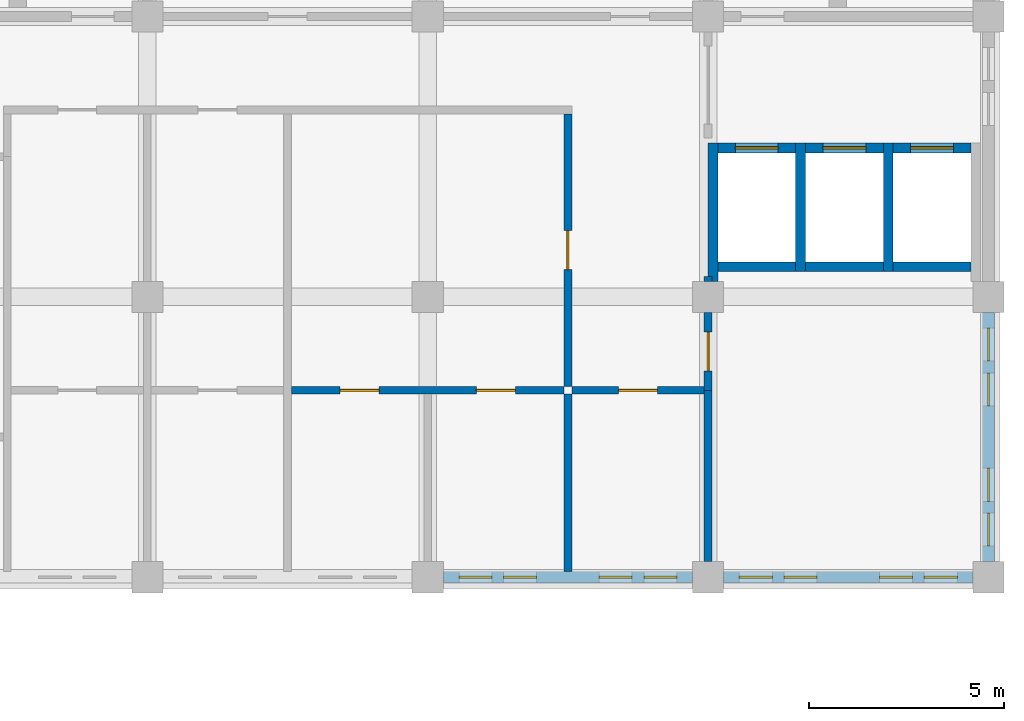
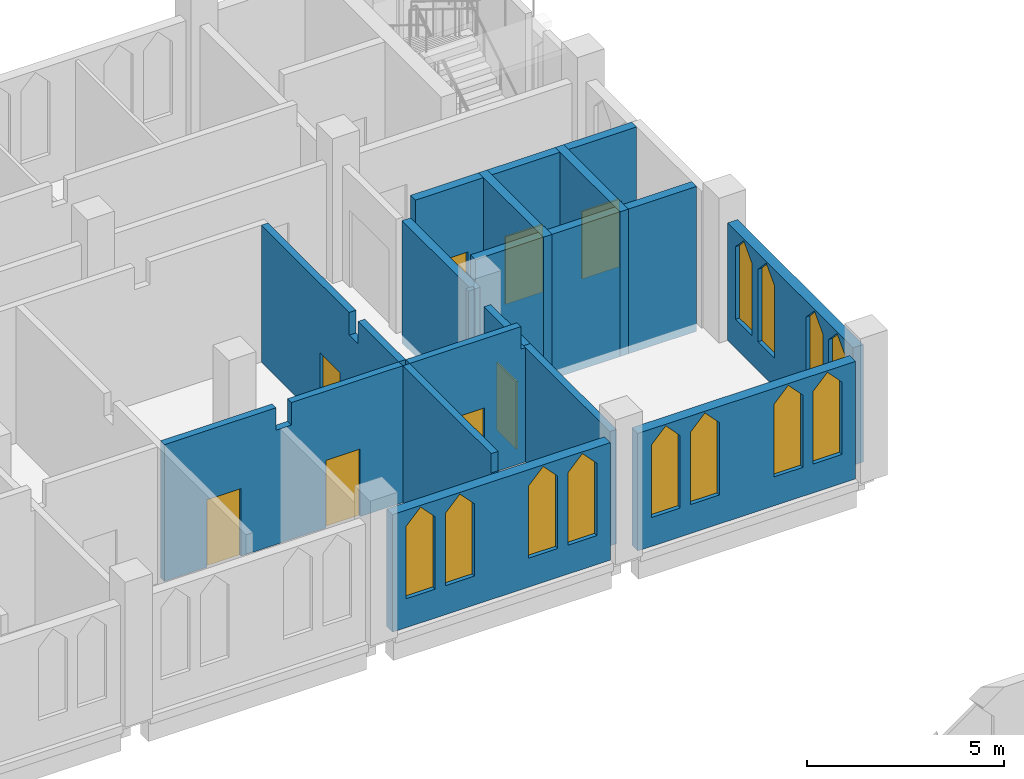
# One storey, part 6 of 11: 19 walls, 12 windows, 8 doors, 20 openings.
"""IFC4 building model written with IfcOpenShell, lengths in metres."""

from ifc_helpers import new_model, si_unit, direction, frame, frame_2d, origin, place, context, subcontext, project, spatial, polyline, rectangle, outline, extrude, material, layer, layer_set, type_object, element, fill, save


model = new_model("IFC4")

# Units and contexts
model_context = context("Model", 3, precision=1e-05, world=origin(), true_north=direction((0.0, 1.0)))
body_context = subcontext(model_context, "Body", "Model", "MODEL_VIEW")
ifc_project = project(units=[si_unit("LENGTHUNIT", "METRE"), si_unit("AREAUNIT", "SQUARE_METRE"), si_unit("VOLUMEUNIT", "CUBIC_METRE"), si_unit("PLANEANGLEUNIT", "RADIAN"), si_unit("MASSUNIT", "GRAM", prefix="KILO")], contexts=[model_context])

# Site, building, storey
site_placement = place(None, origin())
site = spatial("IfcSite", under=ifc_project, at=site_placement, CompositionType="ELEMENT")
building_placement = place(site_placement, origin())
building = spatial("IfcBuilding", under=site, at=building_placement, Name="Silangan Lancet Faculty of Sciences", CompositionType="ELEMENT")
storey_placement = place(building_placement, frame((0.0, 0.0, 45.300048828125)))
storey = spatial("IfcBuildingStorey", under=building, at=storey_placement, Name="L09", CompositionType="ELEMENT", Elevation=45.300048828125)

# Wall, openings, windows
ifc_material_1 = material(Name="Concrete C40/50 precast", Category="concrete")
ifc_layer_1 = layer(ifc_material_1, 0.300048828125)
ifc_layer_set_1 = layer_set([ifc_layer_1], Name="Concrete C40/50 precast")
wall_type_1 = type_object("IfcWallType", Name="EW1 Precast cladding wall", PredefinedType="STANDARD", material=ifc_layer_set_1)
wall_1_placement = place(storey_placement, frame((28.800048828125, 36.39990234375, 0.0), z_axis=(0.0, 0.0, 1.0), x_axis=(0.0, 1.0, 0.0)))
wall_1 = element("IfcWall", 1, at=wall_1_placement, inside=storey, type_object=wall_type_1, Name="EW-L09-E-NT-00", PredefinedType="STANDARD", context=body_context, shape_type="SweptSolid", body=[
    extrude(rectangle(XDim=6.400146484375, YDim=0.300048828125, at=frame_2d((3.2001953125, 0.0))), origin(), (0.0, 0.0, 1.0), 3.64990234375),
])
opening_1_placement = place(wall_1_placement, frame((0.39990234375, 0.0, 0.89990234375)))
opening_1 = element("IfcOpeningElement", 2, at=opening_1_placement, cuts=wall_1, Name="Opening W21", PredefinedType="OPENING", context=body_context, shape_type="SweptSolid", body=[
    extrude(outline(polyline([(0.0, 0.0), (0.85009765625, 0.0), (0.85009765625, 2.25), (0.425048828125, 2.699951171875), (0.0, 2.25), (0.0, 0.0)])), frame((0.0, 0.159912109375, 0.0), z_axis=(0.0, -1.0, 0.0), x_axis=(1.0, 0.0, 0.0)), (0.0, 0.0, 1.0), 0.320068359375),
])
opening_2_placement = place(wall_1_placement, frame((1.550048828125, 0.0, 0.89990234375)))
opening_2 = element("IfcOpeningElement", 3, at=opening_2_placement, cuts=wall_1, Name="Opening W21", PredefinedType="OPENING", context=body_context, shape_type="SweptSolid", body=[
    extrude(outline(polyline([(0.0, 0.0), (0.85009765625, 0.0), (0.85009765625, 2.25), (0.425048828125, 2.699951171875), (0.0, 2.25), (0.0, 0.0)])), frame((0.0, 0.159912109375, 0.0), z_axis=(0.0, -1.0, 0.0), x_axis=(1.0, 0.0, 0.0)), (0.0, 0.0, 1.0), 0.320068359375),
])
opening_3_placement = place(wall_1_placement, frame((4.0, 0.0, 0.89990234375)))
opening_3 = element("IfcOpeningElement", 4, at=opening_3_placement, cuts=wall_1, Name="Opening W21", PredefinedType="OPENING", context=body_context, shape_type="SweptSolid", body=[
    extrude(outline(polyline([(0.0, 0.0), (0.85009765625, 0.0), (0.85009765625, 2.25), (0.425048828125, 2.699951171875), (0.0, 2.25), (0.0, 0.0)])), frame((0.0, 0.159912109375, 0.0), z_axis=(0.0, -1.0, 0.0), x_axis=(1.0, 0.0, 0.0)), (0.0, 0.0, 1.0), 0.320068359375),
])
opening_4_placement = place(wall_1_placement, frame((5.14990234375, 0.0, 0.89990234375)))
opening_4 = element("IfcOpeningElement", 5, at=opening_4_placement, cuts=wall_1, Name="Opening W21", PredefinedType="OPENING", context=body_context, shape_type="SweptSolid", body=[
    extrude(outline(polyline([(0.0, 0.0), (0.85009765625, 0.0), (0.85009765625, 2.25), (0.425048828125, 2.699951171875), (0.0, 2.25), (0.0, 0.0)])), frame((0.0, 0.159912109375, 0.0), z_axis=(0.0, -1.0, 0.0), x_axis=(1.0, 0.0, 0.0)), (0.0, 0.0, 1.0), 0.320068359375),
])
ifc_material_2 = material(Name="Aluminium frame, laminated double glazing", Category="aluminium")
window_type = type_object("IfcWindowType", Name="W21 Lancet window 850 x 2700", PartitioningType="SINGLE_PANEL", PredefinedType="WINDOW", material=ifc_material_2)
window_1_placement = place(opening_1_placement, origin())
window_1 = element("IfcWindow", 6, at=window_1_placement, inside=storey, type_object=window_type, Name="WIN-L09-E-NT-00a1", OverallHeight=2.699951171875, OverallWidth=0.85009765625, PartitioningType="SINGLE_PANEL", PredefinedType="WINDOW", context=body_context, shape_type="SweptSolid", body=[
    extrude(outline(polyline([(0.0, 0.0), (0.85009765625, 0.0), (0.85009765625, 2.25), (0.425048828125, 2.699951171875), (0.0, 2.25), (0.0, 0.0)])), frame((0.0, 0.030029296875, 0.0), z_axis=(0.0, -1.0, 0.0), x_axis=(1.0, 0.0, 0.0)), (0.0, 0.0, 1.0), 0.06005859375),
])
fill(opening_1, window_1)
window_2_placement = place(opening_2_placement, origin())
window_2 = element("IfcWindow", 7, at=window_2_placement, inside=storey, type_object=window_type, Name="WIN-L09-E-NT-00a2", OverallHeight=2.699951171875, OverallWidth=0.85009765625, PartitioningType="SINGLE_PANEL", PredefinedType="WINDOW", context=body_context, shape_type="SweptSolid", body=[
    extrude(outline(polyline([(0.0, 0.0), (0.85009765625, 0.0), (0.85009765625, 2.25), (0.425048828125, 2.699951171875), (0.0, 2.25), (0.0, 0.0)])), frame((0.0, 0.030029296875, 0.0), z_axis=(0.0, -1.0, 0.0), x_axis=(1.0, 0.0, 0.0)), (0.0, 0.0, 1.0), 0.06005859375),
])
fill(opening_2, window_2)
window_3_placement = place(opening_3_placement, origin())
window_3 = element("IfcWindow", 8, at=window_3_placement, inside=storey, type_object=window_type, Name="WIN-L09-E-NT-00b1", OverallHeight=2.699951171875, OverallWidth=0.85009765625, PartitioningType="SINGLE_PANEL", PredefinedType="WINDOW", context=body_context, shape_type="SweptSolid", body=[
    extrude(outline(polyline([(0.0, 0.0), (0.85009765625, 0.0), (0.85009765625, 2.25), (0.425048828125, 2.699951171875), (0.0, 2.25), (0.0, 0.0)])), frame((0.0, 0.030029296875, 0.0), z_axis=(0.0, -1.0, 0.0), x_axis=(1.0, 0.0, 0.0)), (0.0, 0.0, 1.0), 0.06005859375),
])
fill(opening_3, window_3)
window_4_placement = place(opening_4_placement, origin())
window_4 = element("IfcWindow", 9, at=window_4_placement, inside=storey, type_object=window_type, Name="WIN-L09-E-NT-00b2", OverallHeight=2.699951171875, OverallWidth=0.85009765625, PartitioningType="SINGLE_PANEL", PredefinedType="WINDOW", context=body_context, shape_type="SweptSolid", body=[
    extrude(outline(polyline([(0.0, 0.0), (0.85009765625, 0.0), (0.85009765625, 2.25), (0.425048828125, 2.699951171875), (0.0, 2.25), (0.0, 0.0)])), frame((0.0, 0.030029296875, 0.0), z_axis=(0.0, -1.0, 0.0), x_axis=(1.0, 0.0, 0.0)), (0.0, 0.0, 1.0), 0.06005859375),
])
fill(opening_4, window_4)

wall_2_placement = place(storey_placement, frame((14.800048828125, 36.0, 0.0), z_axis=(0.0, 0.0, 1.0), x_axis=(1.0, 0.0, 0.0)))
wall_2 = element("IfcWall", 10, at=wall_2_placement, inside=storey, type_object=wall_type_1, Name="EW-L09-S-NT-02", PredefinedType="STANDARD", context=body_context, shape_type="SweptSolid", body=[
    extrude(rectangle(XDim=6.39990234375, YDim=0.300048828125, at=frame_2d((3.199951171875, 0.0))), origin(), (0.0, 0.0, 1.0), 3.64990234375),
])
opening_5_placement = place(wall_2_placement, frame((0.39990234375, 0.0, 0.89990234375)))
opening_5 = element("IfcOpeningElement", 11, at=opening_5_placement, cuts=wall_2, Name="Opening W21", PredefinedType="OPENING", context=body_context, shape_type="SweptSolid", body=[
    extrude(outline(polyline([(0.0, 0.0), (0.85009765625, 0.0), (0.85009765625, 2.25), (0.425048828125, 2.699951171875), (0.0, 2.25), (0.0, 0.0)])), frame((0.0, 0.159912109375, 0.0), z_axis=(0.0, -1.0, 0.0), x_axis=(1.0, 0.0, 0.0)), (0.0, 0.0, 1.0), 0.320068359375),
])
opening_6_placement = place(wall_2_placement, frame((1.550048828125, 0.0, 0.89990234375)))
opening_6 = element("IfcOpeningElement", 12, at=opening_6_placement, cuts=wall_2, Name="Opening W21", PredefinedType="OPENING", context=body_context, shape_type="SweptSolid", body=[
    extrude(outline(polyline([(0.0, 0.0), (0.85009765625, 0.0), (0.85009765625, 2.25), (0.425048828125, 2.699951171875), (0.0, 2.25), (0.0, 0.0)])), frame((0.0, 0.159912109375, 0.0), z_axis=(0.0, -1.0, 0.0), x_axis=(1.0, 0.0, 0.0)), (0.0, 0.0, 1.0), 0.320068359375),
])
opening_7_placement = place(wall_2_placement, frame((4.0, 0.0, 0.89990234375)))
opening_7 = element("IfcOpeningElement", 13, at=opening_7_placement, cuts=wall_2, Name="Opening W21", PredefinedType="OPENING", context=body_context, shape_type="SweptSolid", body=[
    extrude(outline(polyline([(0.0, 0.0), (0.85009765625, 0.0), (0.85009765625, 2.25), (0.425048828125, 2.699951171875), (0.0, 2.25), (0.0, 0.0)])), frame((0.0, 0.159912109375, 0.0), z_axis=(0.0, -1.0, 0.0), x_axis=(1.0, 0.0, 0.0)), (0.0, 0.0, 1.0), 0.320068359375),
])
opening_8_placement = place(wall_2_placement, frame((5.14990234375, 0.0, 0.89990234375)))
opening_8 = element("IfcOpeningElement", 14, at=opening_8_placement, cuts=wall_2, Name="Opening W21", PredefinedType="OPENING", context=body_context, shape_type="SweptSolid", body=[
    extrude(outline(polyline([(0.0, 0.0), (0.85009765625, 0.0), (0.85009765625, 2.25), (0.425048828125, 2.699951171875), (0.0, 2.25), (0.0, 0.0)])), frame((0.0, 0.159912109375, 0.0), z_axis=(0.0, -1.0, 0.0), x_axis=(1.0, 0.0, 0.0)), (0.0, 0.0, 1.0), 0.320068359375),
])
window_5_placement = place(opening_5_placement, origin())
window_5 = element("IfcWindow", 15, at=window_5_placement, inside=storey, type_object=window_type, Name="WIN-L09-S-NT-02a1", OverallHeight=2.699951171875, OverallWidth=0.85009765625, PartitioningType="SINGLE_PANEL", PredefinedType="WINDOW", context=body_context, shape_type="SweptSolid", body=[
    extrude(outline(polyline([(0.0, 0.0), (0.85009765625, 0.0), (0.85009765625, 2.25), (0.425048828125, 2.699951171875), (0.0, 2.25), (0.0, 0.0)])), frame((0.0, 0.030029296875, 0.0), z_axis=(0.0, -1.0, 0.0), x_axis=(1.0, 0.0, 0.0)), (0.0, 0.0, 1.0), 0.06005859375),
])
fill(opening_5, window_5)
window_6_placement = place(opening_6_placement, origin())
window_6 = element("IfcWindow", 16, at=window_6_placement, inside=storey, type_object=window_type, Name="WIN-L09-S-NT-02a2", OverallHeight=2.699951171875, OverallWidth=0.85009765625, PartitioningType="SINGLE_PANEL", PredefinedType="WINDOW", context=body_context, shape_type="SweptSolid", body=[
    extrude(outline(polyline([(0.0, 0.0), (0.85009765625, 0.0), (0.85009765625, 2.25), (0.425048828125, 2.699951171875), (0.0, 2.25), (0.0, 0.0)])), frame((0.0, 0.030029296875, 0.0), z_axis=(0.0, -1.0, 0.0), x_axis=(1.0, 0.0, 0.0)), (0.0, 0.0, 1.0), 0.06005859375),
])
fill(opening_6, window_6)
window_7_placement = place(opening_7_placement, origin())
window_7 = element("IfcWindow", 17, at=window_7_placement, inside=storey, type_object=window_type, Name="WIN-L09-S-NT-02b1", OverallHeight=2.699951171875, OverallWidth=0.85009765625, PartitioningType="SINGLE_PANEL", PredefinedType="WINDOW", context=body_context, shape_type="SweptSolid", body=[
    extrude(outline(polyline([(0.0, 0.0), (0.85009765625, 0.0), (0.85009765625, 2.25), (0.425048828125, 2.699951171875), (0.0, 2.25), (0.0, 0.0)])), frame((0.0, 0.030029296875, 0.0), z_axis=(0.0, -1.0, 0.0), x_axis=(1.0, 0.0, 0.0)), (0.0, 0.0, 1.0), 0.06005859375),
])
fill(opening_7, window_7)
window_8_placement = place(opening_8_placement, origin())
window_8 = element("IfcWindow", 18, at=window_8_placement, inside=storey, type_object=window_type, Name="WIN-L09-S-NT-02b2", OverallHeight=2.699951171875, OverallWidth=0.85009765625, PartitioningType="SINGLE_PANEL", PredefinedType="WINDOW", context=body_context, shape_type="SweptSolid", body=[
    extrude(outline(polyline([(0.0, 0.0), (0.85009765625, 0.0), (0.85009765625, 2.25), (0.425048828125, 2.699951171875), (0.0, 2.25), (0.0, 0.0)])), frame((0.0, 0.030029296875, 0.0), z_axis=(0.0, -1.0, 0.0), x_axis=(1.0, 0.0, 0.0)), (0.0, 0.0, 1.0), 0.06005859375),
])
fill(opening_8, window_8)

wall_3_placement = place(storey_placement, frame((22.0, 36.0, 0.0), z_axis=(0.0, 0.0, 1.0), x_axis=(1.0, 0.0, 0.0)))
wall_3 = element("IfcWall", 19, at=wall_3_placement, inside=storey, type_object=wall_type_1, Name="EW-L09-S-NT-03", PredefinedType="STANDARD", context=body_context, shape_type="SweptSolid", body=[
    extrude(rectangle(XDim=6.39990234375, YDim=0.300048828125, at=frame_2d((3.199951171875, 0.0))), origin(), (0.0, 0.0, 1.0), 3.64990234375),
])
opening_9_placement = place(wall_3_placement, frame((0.39990234375, 0.0, 0.89990234375)))
opening_9 = element("IfcOpeningElement", 20, at=opening_9_placement, cuts=wall_3, Name="Opening W21", PredefinedType="OPENING", context=body_context, shape_type="SweptSolid", body=[
    extrude(outline(polyline([(0.0, 0.0), (0.85009765625, 0.0), (0.85009765625, 2.25), (0.425048828125, 2.699951171875), (0.0, 2.25), (0.0, 0.0)])), frame((0.0, 0.159912109375, 0.0), z_axis=(0.0, -1.0, 0.0), x_axis=(1.0, 0.0, 0.0)), (0.0, 0.0, 1.0), 0.320068359375),
])
opening_10_placement = place(wall_3_placement, frame((1.550048828125, 0.0, 0.89990234375)))
opening_10 = element("IfcOpeningElement", 21, at=opening_10_placement, cuts=wall_3, Name="Opening W21", PredefinedType="OPENING", context=body_context, shape_type="SweptSolid", body=[
    extrude(outline(polyline([(0.0, 0.0), (0.85009765625, 0.0), (0.85009765625, 2.25), (0.425048828125, 2.699951171875), (0.0, 2.25), (0.0, 0.0)])), frame((0.0, 0.159912109375, 0.0), z_axis=(0.0, -1.0, 0.0), x_axis=(1.0, 0.0, 0.0)), (0.0, 0.0, 1.0), 0.320068359375),
])
opening_11_placement = place(wall_3_placement, frame((4.0, 0.0, 0.89990234375)))
opening_11 = element("IfcOpeningElement", 22, at=opening_11_placement, cuts=wall_3, Name="Opening W21", PredefinedType="OPENING", context=body_context, shape_type="SweptSolid", body=[
    extrude(outline(polyline([(0.0, 0.0), (0.85009765625, 0.0), (0.85009765625, 2.25), (0.425048828125, 2.699951171875), (0.0, 2.25), (0.0, 0.0)])), frame((0.0, 0.159912109375, 0.0), z_axis=(0.0, -1.0, 0.0), x_axis=(1.0, 0.0, 0.0)), (0.0, 0.0, 1.0), 0.320068359375),
])
opening_12_placement = place(wall_3_placement, frame((5.14990234375, 0.0, 0.89990234375)))
opening_12 = element("IfcOpeningElement", 23, at=opening_12_placement, cuts=wall_3, Name="Opening W21", PredefinedType="OPENING", context=body_context, shape_type="SweptSolid", body=[
    extrude(outline(polyline([(0.0, 0.0), (0.85009765625, 0.0), (0.85009765625, 2.25), (0.425048828125, 2.699951171875), (0.0, 2.25), (0.0, 0.0)])), frame((0.0, 0.159912109375, 0.0), z_axis=(0.0, -1.0, 0.0), x_axis=(1.0, 0.0, 0.0)), (0.0, 0.0, 1.0), 0.320068359375),
])
window_9_placement = place(opening_9_placement, origin())
window_9 = element("IfcWindow", 24, at=window_9_placement, inside=storey, type_object=window_type, Name="WIN-L09-S-NT-03a1", OverallHeight=2.699951171875, OverallWidth=0.85009765625, PartitioningType="SINGLE_PANEL", PredefinedType="WINDOW", context=body_context, shape_type="SweptSolid", body=[
    extrude(outline(polyline([(0.0, 0.0), (0.85009765625, 0.0), (0.85009765625, 2.25), (0.425048828125, 2.699951171875), (0.0, 2.25), (0.0, 0.0)])), frame((0.0, 0.030029296875, 0.0), z_axis=(0.0, -1.0, 0.0), x_axis=(1.0, 0.0, 0.0)), (0.0, 0.0, 1.0), 0.06005859375),
])
fill(opening_9, window_9)
window_10_placement = place(opening_10_placement, origin())
window_10 = element("IfcWindow", 25, at=window_10_placement, inside=storey, type_object=window_type, Name="WIN-L09-S-NT-03a2", OverallHeight=2.699951171875, OverallWidth=0.85009765625, PartitioningType="SINGLE_PANEL", PredefinedType="WINDOW", context=body_context, shape_type="SweptSolid", body=[
    extrude(outline(polyline([(0.0, 0.0), (0.85009765625, 0.0), (0.85009765625, 2.25), (0.425048828125, 2.699951171875), (0.0, 2.25), (0.0, 0.0)])), frame((0.0, 0.030029296875, 0.0), z_axis=(0.0, -1.0, 0.0), x_axis=(1.0, 0.0, 0.0)), (0.0, 0.0, 1.0), 0.06005859375),
])
fill(opening_10, window_10)
window_11_placement = place(opening_11_placement, origin())
window_11 = element("IfcWindow", 26, at=window_11_placement, inside=storey, type_object=window_type, Name="WIN-L09-S-NT-03b1", OverallHeight=2.699951171875, OverallWidth=0.85009765625, PartitioningType="SINGLE_PANEL", PredefinedType="WINDOW", context=body_context, shape_type="SweptSolid", body=[
    extrude(outline(polyline([(0.0, 0.0), (0.85009765625, 0.0), (0.85009765625, 2.25), (0.425048828125, 2.699951171875), (0.0, 2.25), (0.0, 0.0)])), frame((0.0, 0.030029296875, 0.0), z_axis=(0.0, -1.0, 0.0), x_axis=(1.0, 0.0, 0.0)), (0.0, 0.0, 1.0), 0.06005859375),
])
fill(opening_11, window_11)
window_12_placement = place(opening_12_placement, origin())
window_12 = element("IfcWindow", 27, at=window_12_placement, inside=storey, type_object=window_type, Name="WIN-L09-S-NT-03b2", OverallHeight=2.699951171875, OverallWidth=0.85009765625, PartitioningType="SINGLE_PANEL", PredefinedType="WINDOW", context=body_context, shape_type="SweptSolid", body=[
    extrude(outline(polyline([(0.0, 0.0), (0.85009765625, 0.0), (0.85009765625, 2.25), (0.425048828125, 2.699951171875), (0.0, 2.25), (0.0, 0.0)])), frame((0.0, 0.030029296875, 0.0), z_axis=(0.0, -1.0, 0.0), x_axis=(1.0, 0.0, 0.0)), (0.0, 0.0, 1.0), 0.06005859375),
])
fill(opening_12, window_12)

# Wall, opening, door
ifc_material_3 = material(Name="Hollow block masonry fm 7 MPa", Category="masonry")
ifc_layer_2 = layer(ifc_material_3, 0.199951171875)
ifc_layer_set_2 = layer_set([ifc_layer_2], Name="Hollow block masonry fm 7 MPa")
wall_type_2 = type_object("IfcWallType", Name="Interior wall PW1 Corridor wall CHB 200", PredefinedType="PARTITIONING", material=ifc_layer_set_2)
wall_4_placement = place(storey_placement, frame((18.10009765625, 40.800048828125, 0.0), z_axis=(0.0, 0.0, 1.0), x_axis=(1.0, 0.0, 0.0)))
wall_4 = element("IfcWall", 28, at=wall_4_placement, inside=storey, type_object=wall_type_2, Name="Corridor wall CHB 200", PredefinedType="PARTITIONING", context=body_context, shape_type="SweptSolid", body=[
    extrude(outline(polyline([(0.0, 0.0), (3.39990234375, 0.0), (3.39990234375, 3.550048828125), (3.27490234375, 3.550048828125), (3.27490234375, 4.25), (0.0, 4.25), (0.0, 0.0)])), frame((0.0, 0.10009765625, 0.0), z_axis=(0.0, -1.0, 0.0), x_axis=(1.0, 0.0, 0.0)), (0.0, 0.0, 1.0), 0.199951171875),
])
opening_13_placement = place(wall_4_placement, frame((1.199951171875, 0.0, 0.0)))
opening_13 = element("IfcOpeningElement", 29, at=opening_13_placement, cuts=wall_4, Name="Opening L09-022", PredefinedType="OPENING", context=body_context, shape_type="SweptSolid", body=[
    extrude(rectangle(XDim=1.0, YDim=2.10009765625, at=frame_2d((0.5, 1.050048828125))), frame((0.0, 0.10986328125, 0.0), z_axis=(0.0, -1.0, 0.0), x_axis=(1.0, 0.0, 0.0)), (0.0, 0.0, 1.0), 0.219970703125),
])
ifc_material_4 = material(Name="Steel fire door set", Category="steel")
door_type_1 = type_object("IfcDoorType", Name="Door D1 Single leaf fire door 1000 x 2100", OperationType="SINGLE_SWING_LEFT", PredefinedType="DOOR", material=ifc_material_4)
door_1_placement = place(opening_13_placement, frame((1.0, 0.0, 0.0), z_axis=(0.0, 0.0, 1.0), x_axis=(-1.0, 0.0, 0.0)))
door_1 = element("IfcDoor", 30, at=door_1_placement, inside=storey, type_object=door_type_1, Name="Single leaf fire door 1000 x 2100", OperationType="SINGLE_SWING_LEFT", OverallHeight=2.10009765625, OverallWidth=1.0, PredefinedType="DOOR", context=body_context, shape_type="SweptSolid", body=[
    extrude(rectangle(XDim=1.0, YDim=2.10009765625, at=frame_2d((0.5, 1.050048828125))), frame((0.0, 0.025146484375, 0.0), z_axis=(0.0, -1.0, 0.0), x_axis=(1.0, 0.0, 0.0)), (0.0, 0.0, 1.0), 0.050048828125),
])
fill(opening_13, door_1)

wall_5_placement = place(storey_placement, frame((18.0, 40.89990234375, 0.0), z_axis=(0.0, 0.0, 1.0), x_axis=(0.0, 1.0, 0.0)))
wall_5 = element("IfcWall", 31, at=wall_5_placement, inside=storey, type_object=wall_type_2, Name="Corridor wall CHB 200", PredefinedType="PARTITIONING", context=body_context, shape_type="SweptSolid", body=[
    extrude(outline(polyline([(0.0, 0.0), (7.0, 0.0), (7.0, 4.25), (2.525146484375, 4.25), (2.525146484375, 3.550048828125), (2.0751953125, 3.550048828125), (2.0751953125, 4.25), (0.0, 4.25), (0.0, 0.0)])), frame((0.0, 0.10009765625, 0.0), z_axis=(0.0, -1.0, 0.0), x_axis=(1.0, 0.0, 0.0)), (0.0, 0.0, 1.0), 0.199951171875),
])
opening_14_placement = place(wall_5_placement, frame((3.0, 0.0, 0.0)))
opening_14 = element("IfcOpeningElement", 32, at=opening_14_placement, cuts=wall_5, Name="Opening L09-030", PredefinedType="OPENING", context=body_context, shape_type="SweptSolid", body=[
    extrude(rectangle(XDim=1.0, YDim=2.10009765625, at=frame_2d((0.5, 1.050048828125))), frame((0.0, 0.10986328125, 0.0), z_axis=(0.0, -1.0, 0.0), x_axis=(1.0, 0.0, 0.0)), (0.0, 0.0, 1.0), 0.219970703125),
])
door_2_placement = place(opening_14_placement, origin())
door_2 = element("IfcDoor", 33, at=door_2_placement, inside=storey, type_object=door_type_1, Name="Single leaf fire door 1000 x 2100", OperationType="SINGLE_SWING_RIGHT", OverallHeight=2.10009765625, OverallWidth=1.0, PredefinedType="DOOR", context=body_context, shape_type="SweptSolid", body=[
    extrude(rectangle(XDim=1.0, YDim=2.10009765625, at=frame_2d((0.5, 1.050048828125))), frame((0.0, 0.02490234375, 0.0), z_axis=(0.0, -1.0, 0.0), x_axis=(1.0, 0.0, 0.0)), (0.0, 0.0, 1.0), 0.050048828125),
])
fill(opening_14, door_2)

wall_6_placement = place(storey_placement, frame((21.60009765625, 40.800048828125, 0.0), z_axis=(0.0, 0.0, 1.0), x_axis=(0.0, 1.0, 0.0)))
wall_6 = element("IfcWall", 34, at=wall_6_placement, inside=storey, type_object=wall_type_2, Name="Corridor wall CHB 200", PredefinedType="PARTITIONING", context=body_context, shape_type="SweptSolid", body=[
    extrude(rectangle(XDim=2.0, YDim=0.199951171875, at=frame_2d((1.0, 0.0))), origin(), (0.0, 0.0, 1.0), 3.550048828125),
])
opening_15_placement = place(wall_6_placement, frame((0.5, 0.0, 0.0)))
opening_15 = element("IfcOpeningElement", 35, at=opening_15_placement, cuts=wall_6, Name="Opening L09-023", PredefinedType="OPENING", context=body_context, shape_type="SweptSolid", body=[
    extrude(rectangle(XDim=1.0, YDim=2.10009765625, at=frame_2d((0.5, 1.050048828125))), frame((0.0, 0.10986328125, 0.0), z_axis=(0.0, -1.0, 0.0), x_axis=(1.0, 0.0, 0.0)), (0.0, 0.0, 1.0), 0.219970703125),
])
door_3_placement = place(opening_15_placement, frame((1.0, 0.0, 0.0), z_axis=(0.0, 0.0, 1.0), x_axis=(-1.0, 0.0, 0.0)))
door_3 = element("IfcDoor", 36, at=door_3_placement, inside=storey, type_object=door_type_1, Name="Single leaf fire door 1000 x 2100", OperationType="SINGLE_SWING_RIGHT", OverallHeight=2.10009765625, OverallWidth=1.0, PredefinedType="DOOR", context=body_context, shape_type="SweptSolid", body=[
    extrude(rectangle(XDim=1.0, YDim=2.10009765625, at=frame_2d((0.5, 1.050048828125))), frame((0.0, 0.025146484375, 0.0), z_axis=(0.0, -1.0, 0.0), x_axis=(1.0, 0.0, 0.0)), (0.0, 0.0, 1.0), 0.050048828125),
])
fill(opening_15, door_3)

# Wall
wall_7_placement = place(storey_placement, frame((21.60009765625, 43.60009765625, 0.0), z_axis=(0.0, 0.0, 1.0), x_axis=(0.0, 1.0, 0.0)))
element("IfcWall", 37, at=wall_7_placement, inside=storey, type_object=wall_type_2, Name="Corridor wall CHB 200", PredefinedType="PARTITIONING", context=body_context, shape_type="SweptSolid", body=[
    extrude(rectangle(XDim=0.125, YDim=0.199951171875, at=frame_2d((0.0625, 0.0))), origin(), (0.0, 0.0, 1.0), 3.550048828125),
])

# Wall, openings, doors
ifc_material_5 = material(Name="Hollow block masonry fm 7 MPa", Category="masonry")
ifc_layer_3 = layer(ifc_material_5, 0.199951171875)
ifc_layer_set_3 = layer_set([ifc_layer_3], Name="Hollow block masonry fm 7 MPa")
wall_type_3 = type_object("IfcWallType", Name="Interior wall PW4 Laboratory separation CHB 200", PredefinedType="PARTITIONING", material=ifc_layer_set_3)
wall_8_placement = place(storey_placement, frame((10.89990234375, 40.800048828125, 0.0), z_axis=(0.0, 0.0, 1.0), x_axis=(1.0, 0.0, 0.0)))
wall_8 = element("IfcWall", 38, at=wall_8_placement, inside=storey, type_object=wall_type_3, Name="Laboratory separation CHB 200", PredefinedType="PARTITIONING", context=body_context, shape_type="SweptSolid", body=[
    extrude(outline(polyline([(0.0, 0.0), (7.0, 0.0), (7.0, 4.25), (3.72509765625, 4.25), (3.72509765625, 3.550048828125), (3.275146484375, 3.550048828125), (3.275146484375, 4.25), (0.0, 4.25), (0.0, 0.0)])), frame((0.0, 0.10009765625, 0.0), z_axis=(0.0, -1.0, 0.0), x_axis=(1.0, 0.0, 0.0)), (0.0, 0.0, 1.0), 0.199951171875),
])
opening_16_placement = place(wall_8_placement, frame((1.25, 0.0, 0.0)))
opening_16 = element("IfcOpeningElement", 39, at=opening_16_placement, cuts=wall_8, Name="Opening L09-031", PredefinedType="OPENING", context=body_context, shape_type="SweptSolid", body=[
    extrude(rectangle(XDim=1.0, YDim=2.10009765625, at=frame_2d((0.5, 1.050048828125))), frame((0.0, 0.10986328125, 0.0), z_axis=(0.0, -1.0, 0.0), x_axis=(1.0, 0.0, 0.0)), (0.0, 0.0, 1.0), 0.219970703125),
])
opening_17_placement = place(wall_8_placement, frame((4.75, 0.0, 0.0)))
opening_17 = element("IfcOpeningElement", 40, at=opening_17_placement, cuts=wall_8, Name="Opening L09-032", PredefinedType="OPENING", context=body_context, shape_type="SweptSolid", body=[
    extrude(rectangle(XDim=1.0, YDim=2.10009765625, at=frame_2d((0.5, 1.050048828125))), frame((0.0, 0.10986328125, 0.0), z_axis=(0.0, -1.0, 0.0), x_axis=(1.0, 0.0, 0.0)), (0.0, 0.0, 1.0), 0.219970703125),
])
door_4_placement = place(opening_16_placement, frame((1.0, 0.0, 0.0), z_axis=(0.0, 0.0, 1.0), x_axis=(-1.0, 0.0, 0.0)))
door_4 = element("IfcDoor", 41, at=door_4_placement, inside=storey, type_object=door_type_1, Name="Single leaf fire door 1000 x 2100", OperationType="SINGLE_SWING_RIGHT", OverallHeight=2.10009765625, OverallWidth=1.0, PredefinedType="DOOR", context=body_context, shape_type="SweptSolid", body=[
    extrude(rectangle(XDim=1.0, YDim=2.10009765625, at=frame_2d((0.5, 1.050048828125))), frame((0.0, 0.025146484375, 0.0), z_axis=(0.0, -1.0, 0.0), x_axis=(1.0, 0.0, 0.0)), (0.0, 0.0, 1.0), 0.050048828125),
])
fill(opening_16, door_4)
door_5_placement = place(opening_17_placement, frame((1.0, 0.0, 0.0), z_axis=(0.0, 0.0, 1.0), x_axis=(-1.0, 0.0, 0.0)))
door_5 = element("IfcDoor", 42, at=door_5_placement, inside=storey, type_object=door_type_1, Name="Single leaf fire door 1000 x 2100", OperationType="SINGLE_SWING_LEFT", OverallHeight=2.10009765625, OverallWidth=1.0, PredefinedType="DOOR", context=body_context, shape_type="SweptSolid", body=[
    extrude(rectangle(XDim=1.0, YDim=2.10009765625, at=frame_2d((0.5, 1.050048828125))), frame((0.0, 0.025146484375, 0.0), z_axis=(0.0, -1.0, 0.0), x_axis=(1.0, 0.0, 0.0)), (0.0, 0.0, 1.0), 0.050048828125),
])
fill(opening_17, door_5)

# Walls
wall_9_placement = place(storey_placement, frame((18.0, 36.14990234375, 0.0), z_axis=(0.0, 0.0, 1.0), x_axis=(0.0, 1.0, 0.0)))
element("IfcWall", 43, at=wall_9_placement, inside=storey, type_object=wall_type_3, Name="Laboratory separation CHB 200", PredefinedType="PARTITIONING", context=body_context, shape_type="SweptSolid", body=[
    extrude(outline(polyline([(0.0, 0.0), (4.550048828125, 0.0), (4.550048828125, 4.25), (0.050048828125, 4.25), (0.050048828125, 3.64990234375), (0.0, 3.64990234375), (0.0, 0.0)])), frame((0.0, 0.10009765625, 0.0), z_axis=(0.0, -1.0, 0.0), x_axis=(1.0, 0.0, 0.0)), (0.0, 0.0, 1.0), 0.199951171875),
])
wall_10_placement = place(storey_placement, frame((21.60009765625, 36.39990234375, 0.0), z_axis=(0.0, 0.0, 1.0), x_axis=(0.0, 1.0, 0.0)))
element("IfcWall", 44, at=wall_10_placement, inside=storey, type_object=wall_type_3, Name="Laboratory separation CHB 200", PredefinedType="PARTITIONING", context=body_context, shape_type="SweptSolid", body=[
    extrude(rectangle(XDim=4.400146484375, YDim=0.199951171875, at=frame_2d((2.2001953125, 0.0))), origin(), (0.0, 0.0, 1.0), 3.550048828125),
])
ifc_material_6 = material(Name="Concrete C40/50", Category="concrete")
ifc_layer_4 = layer(ifc_material_6, 0.25)
ifc_layer_set_4 = layer_set([ifc_layer_4], Name="Concrete C40/50")
wall_type_4 = type_object("IfcWallType", Name="LIFT SHAFT WALL RC 250", PredefinedType="SHEAR", material=ifc_layer_set_4)
wall_11_placement = place(storey_placement, frame((21.72509765625, 43.60009765625, -0.25), z_axis=(0.0, 0.0, 1.0), x_axis=(0.0, 1.0, 0.0)))
element("IfcWall", 45, at=wall_11_placement, inside=storey, type_object=wall_type_4, Name="WALL-L09-NT-SW1", PredefinedType="SHEAR", context=body_context, shape_type="SweptSolid", body=[
    extrude(rectangle(XDim=3.5498046875, YDim=0.25, at=frame_2d((1.77490234375, 0.0))), origin(), (0.0, 0.0, 1.0), 3.800048828125),
])
for number, where, z_axis, x_axis, name in (
    (46, (23.97509765625, 43.85009765625, -0.25), (0.0, 0.0, 1.0), (0.0, 1.0, 0.0), "WALL-L09-NT-SW2"),
    (47, (26.22509765625, 43.85009765625, -0.25), (0.0, 0.0, 1.0), (0.0, 1.0, 0.0), "WALL-L09-NT-SW3"),
):
    element("IfcWall", number, at=place(storey_placement, frame(where, z_axis=z_axis, x_axis=x_axis)), inside=storey, type_object=wall_type_4, Name=name, PredefinedType="SHEAR", context=body_context, shape_type="SweptSolid", body=[
        extrude(rectangle(XDim=3.2998046875, YDim=0.25, at=frame_2d((1.64990234375, 0.0))), origin(), (0.0, 0.0, 1.0), 4.5),
    ])

# Wall, opening, door
wall_12_placement = place(storey_placement, frame((21.85009765625, 47.02490234375, -0.25), z_axis=(0.0, 0.0, 1.0), x_axis=(1.0, 0.0, 0.0)))
wall_12 = element("IfcWall", 48, at=wall_12_placement, inside=storey, type_object=wall_type_4, Name="WALL-L09-NT-L1-F", PredefinedType="SHEAR", context=body_context, shape_type="SweptSolid", body=[
    extrude(rectangle(XDim=2.0, YDim=0.25, at=frame_2d((1.0, 0.0))), origin(), (0.0, 0.0, 1.0), 4.5),
])
opening_18_placement = place(wall_12_placement, frame((0.449951171875, 0.0, 0.25)))
opening_18 = element("IfcOpeningElement", 49, at=opening_18_placement, cuts=wall_12, Name="Opening L09-801", PredefinedType="OPENING", context=body_context, shape_type="SweptSolid", body=[
    extrude(rectangle(XDim=1.10009765625, YDim=2.10009765625, at=frame_2d((0.550048828125, 1.050048828125))), frame((0.0, 0.135009765625, 0.0), z_axis=(0.0, -1.0, 0.0), x_axis=(1.0, 0.0, 0.0)), (0.0, 0.0, 1.0), 0.27001953125),
])
ifc_material_7 = material(Name="Stainless steel sliding door", Category="steel")
door_type_2 = type_object("IfcDoorType", Name="LD1 Lift landing door 1100x2100", OperationType="SLIDING_TO_LEFT", PredefinedType="DOOR", material=ifc_material_7)
door_6_placement = place(opening_18_placement, origin())
door_6 = element("IfcDoor", 50, at=door_6_placement, inside=storey, type_object=door_type_2, Name="Landing door NT-L1 L09", OperationType="SLIDING_TO_LEFT", OverallHeight=2.10009765625, OverallWidth=1.10009765625, PredefinedType="DOOR", context=body_context, shape_type="SweptSolid", body=[
    extrude(rectangle(XDim=1.10009765625, YDim=2.10009765625, at=frame_2d((0.550048828125, 1.050048828125))), frame((0.0, 0.02490234375, 0.0), z_axis=(0.0, -1.0, 0.0), x_axis=(1.0, 0.0, 0.0)), (0.0, 0.0, 1.0), 0.050048828125),
])
fill(opening_18, door_6)

# Wall
wall_13_placement = place(storey_placement, frame((21.85009765625, 43.97509765625, -0.25), z_axis=(0.0, 0.0, 1.0), x_axis=(1.0, 0.0, 0.0)))
element("IfcWall", 51, at=wall_13_placement, inside=storey, type_object=wall_type_4, Name="WALL-L09-NT-L1-B", PredefinedType="SHEAR", context=body_context, shape_type="SweptSolid", body=[
    extrude(rectangle(XDim=2.0, YDim=0.25, at=frame_2d((1.0, 0.0))), origin(), (0.0, 0.0, 1.0), 4.5),
])

# Wall, opening, door
wall_14_placement = place(storey_placement, frame((24.10009765625, 47.02490234375, -0.25), z_axis=(0.0, 0.0, 1.0), x_axis=(1.0, 0.0, 0.0)))
wall_14 = element("IfcWall", 52, at=wall_14_placement, inside=storey, type_object=wall_type_4, Name="WALL-L09-NT-L2-F", PredefinedType="SHEAR", context=body_context, shape_type="SweptSolid", body=[
    extrude(rectangle(XDim=2.0, YDim=0.25, at=frame_2d((1.0, 0.0))), origin(), (0.0, 0.0, 1.0), 4.5),
])
opening_19_placement = place(wall_14_placement, frame((0.449951171875, 0.0, 0.25)))
opening_19 = element("IfcOpeningElement", 53, at=opening_19_placement, cuts=wall_14, Name="Opening L09-802", PredefinedType="OPENING", context=body_context, shape_type="SweptSolid", body=[
    extrude(rectangle(XDim=1.10009765625, YDim=2.10009765625, at=frame_2d((0.550048828125, 1.050048828125))), frame((0.0, 0.135009765625, 0.0), z_axis=(0.0, -1.0, 0.0), x_axis=(1.0, 0.0, 0.0)), (0.0, 0.0, 1.0), 0.27001953125),
])
door_7_placement = place(opening_19_placement, origin())
door_7 = element("IfcDoor", 54, at=door_7_placement, inside=storey, type_object=door_type_2, Name="Landing door NT-L2 L09", OperationType="SLIDING_TO_LEFT", OverallHeight=2.10009765625, OverallWidth=1.10009765625, PredefinedType="DOOR", context=body_context, shape_type="SweptSolid", body=[
    extrude(rectangle(XDim=1.10009765625, YDim=2.10009765625, at=frame_2d((0.550048828125, 1.050048828125))), frame((0.0, 0.02490234375, 0.0), z_axis=(0.0, -1.0, 0.0), x_axis=(1.0, 0.0, 0.0)), (0.0, 0.0, 1.0), 0.050048828125),
])
fill(opening_19, door_7)

# Wall
wall_15_placement = place(storey_placement, frame((24.10009765625, 43.97509765625, -0.25), z_axis=(0.0, 0.0, 1.0), x_axis=(1.0, 0.0, 0.0)))
element("IfcWall", 55, at=wall_15_placement, inside=storey, type_object=wall_type_4, Name="WALL-L09-NT-L2-B", PredefinedType="SHEAR", context=body_context, shape_type="SweptSolid", body=[
    extrude(rectangle(XDim=2.0, YDim=0.25, at=frame_2d((1.0, 0.0))), origin(), (0.0, 0.0, 1.0), 4.5),
])

# Wall, opening, door
wall_16_placement = place(storey_placement, frame((26.35009765625, 47.02490234375, -0.25), z_axis=(0.0, 0.0, 1.0), x_axis=(1.0, 0.0, 0.0)))
wall_16 = element("IfcWall", 56, at=wall_16_placement, inside=storey, type_object=wall_type_4, Name="WALL-L09-NT-L3-F", PredefinedType="SHEAR", context=body_context, shape_type="SweptSolid", body=[
    extrude(rectangle(XDim=2.0, YDim=0.25, at=frame_2d((1.0, 0.0))), origin(), (0.0, 0.0, 1.0), 4.5),
])
opening_20_placement = place(wall_16_placement, frame((0.449951171875, 0.0, 0.25)))
opening_20 = element("IfcOpeningElement", 57, at=opening_20_placement, cuts=wall_16, Name="Opening L09-803", PredefinedType="OPENING", context=body_context, shape_type="SweptSolid", body=[
    extrude(rectangle(XDim=1.10009765625, YDim=2.10009765625, at=frame_2d((0.550048828125, 1.050048828125))), frame((0.0, 0.135009765625, 0.0), z_axis=(0.0, -1.0, 0.0), x_axis=(1.0, 0.0, 0.0)), (0.0, 0.0, 1.0), 0.27001953125),
])
door_8_placement = place(opening_20_placement, origin())
door_8 = element("IfcDoor", 58, at=door_8_placement, inside=storey, type_object=door_type_2, Name="Landing door NT-L3 L09", OperationType="SLIDING_TO_LEFT", OverallHeight=2.10009765625, OverallWidth=1.10009765625, PredefinedType="DOOR", context=body_context, shape_type="SweptSolid", body=[
    extrude(rectangle(XDim=1.10009765625, YDim=2.10009765625, at=frame_2d((0.550048828125, 1.050048828125))), frame((0.0, 0.02490234375, 0.0), z_axis=(0.0, -1.0, 0.0), x_axis=(1.0, 0.0, 0.0)), (0.0, 0.0, 1.0), 0.050048828125),
])
fill(opening_20, door_8)

# Wall
wall_17_placement = place(storey_placement, frame((26.35009765625, 43.97509765625, -0.25), z_axis=(0.0, 0.0, 1.0), x_axis=(1.0, 0.0, 0.0)))
element("IfcWall", 59, at=wall_17_placement, inside=storey, type_object=wall_type_4, Name="WALL-L09-NT-L3-B", PredefinedType="SHEAR", context=body_context, shape_type="SweptSolid", body=[
    extrude(rectangle(XDim=2.0, YDim=0.25, at=frame_2d((1.0, 0.0))), origin(), (0.0, 0.0, 1.0), 4.5),
])

save(model, "model.ifc")
